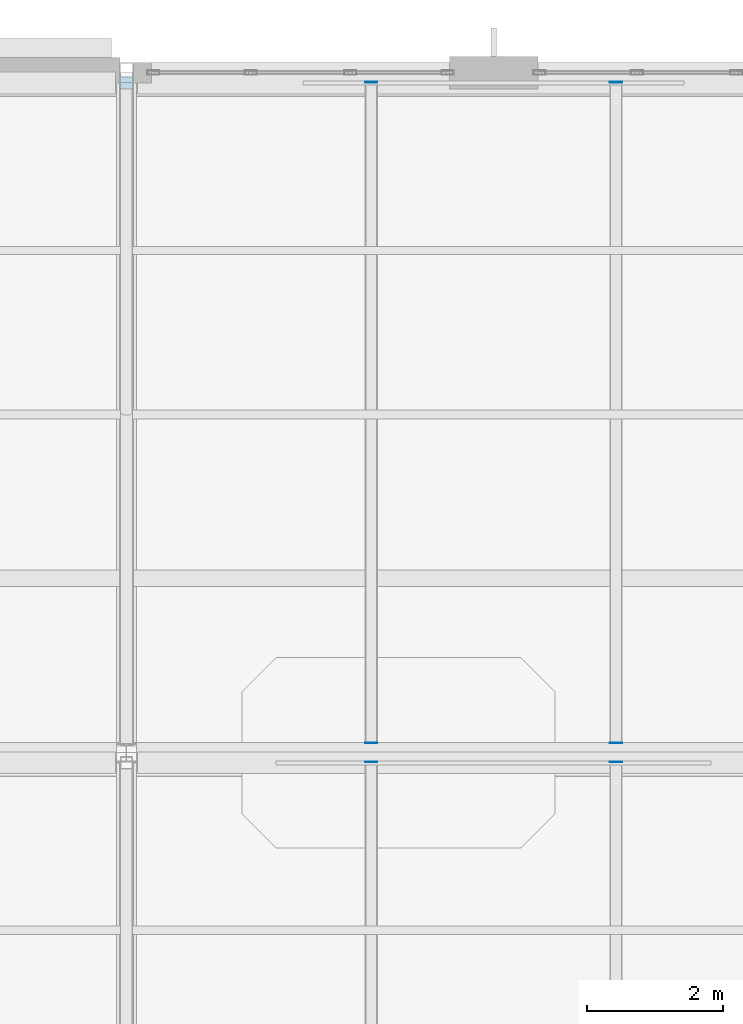
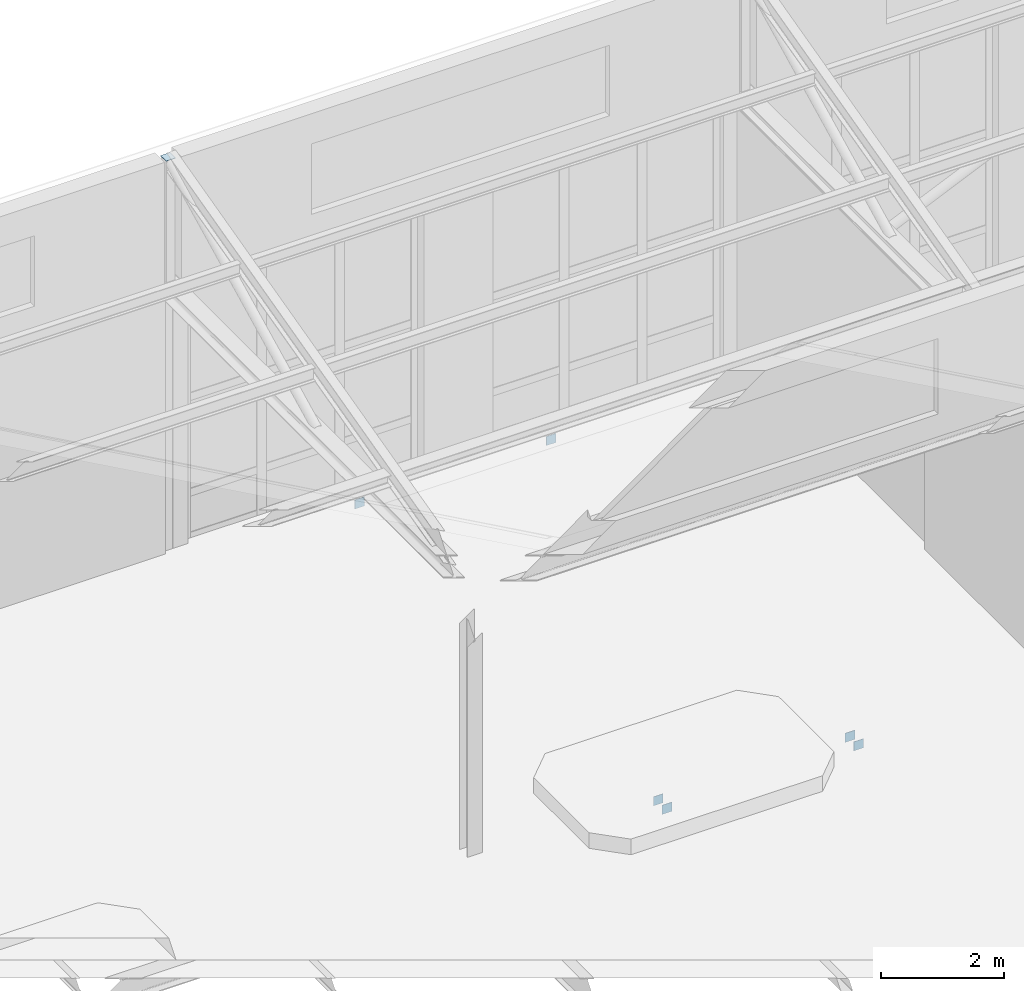
# One storey, part 37 of 49: 7 plates.
"""IFC4 building model written with IfcOpenShell, lengths in metres."""

from ifc_helpers import new_model, si_unit, direction, frame, origin, origin_2d, place, context, subcontext, project, spatial, rectangle, extrude, material, layer, layer_set, type_object, element, save


model = new_model("IFC4")

# Units and contexts
model_context = context("Model", 3, precision=1e-05, world=origin(), true_north=direction((0.0, 1.0)))
body_context = subcontext(model_context, "Body", "Model", "MODEL_VIEW")
ifc_project = project(units=[si_unit("LENGTHUNIT", "METRE"), si_unit("AREAUNIT", "SQUARE_METRE"), si_unit("VOLUMEUNIT", "CUBIC_METRE"), si_unit("PLANEANGLEUNIT", "RADIAN"), si_unit("MASSUNIT", "GRAM", prefix="KILO")], contexts=[model_context])

# Site, building, storey
site_placement = place(None, origin())
site = spatial("IfcSite", under=ifc_project, at=site_placement, CompositionType="ELEMENT")
building_placement = place(site_placement, origin())
building = spatial("IfcBuilding", under=site, at=building_placement, Name="Tasgan Crest Museum", CompositionType="ELEMENT")
storey_placement = place(building_placement, frame((0.0, 0.0, 28.800048828125)))
storey = spatial("IfcBuildingStorey", under=building, at=storey_placement, Name="L05", CompositionType="ELEMENT", Elevation=28.800048828125)

# Plates
ifc_material_1 = material(Name="Steel S355K2", Category="steel")
ifc_layer_1 = layer(ifc_material_1, 0.179931640625, Name="PL-CAP-10x180x180")
ifc_layer_set_1 = layer_set([ifc_layer_1], Name="Steel S355K2")
plate_type_1 = type_object("IfcPlateType", Name="PL-CAP-10x180x180", PredefinedType="USERDEFINED", material=ifc_layer_set_1)
for number, where, z_axis, x_axis, name in (
    (1, (57.60009765625, 102.139892578125, -0.419921875), (0.0, 0.0, 1.0), (0.0, 1.0, 0.0), "End plate Secondary joist L05 X=57.6 Y=102.0-112.0 end A"),
    (2, (57.60009765625, 111.860107421875, -0.419921875), (0.0, 0.0, 1.0), (0.0, 1.0, 0.0), "End plate Secondary joist L05 X=57.6 Y=102.0-112.0 end B"),
    (3, (61.199951171875, 102.139892578125, -0.419921875), (0.0, 0.0, 1.0), (0.0, 1.0, 0.0), "End plate Secondary joist L05 X=61.2 Y=102.0-112.0 end A"),
    (4, (61.199951171875, 111.860107421875, -0.419921875), (0.0, 0.0, 1.0), (0.0, 1.0, 0.0), "End plate Secondary joist L05 X=61.2 Y=102.0-112.0 end B"),
    (5, (57.60009765625, 101.860107421875, -0.419921875), (0.0, 0.0, 1.0), (0.0, 1.0, 0.0), "End plate Secondary joist L05 X=57.6 Y=92.0-102.0 end B"),
    (6, (61.199951171875, 101.860107421875, -0.419921875), (0.0, 0.0, 1.0), (0.0, 1.0, 0.0), "End plate Secondary joist L05 X=61.2 Y=92.0-102.0 end B"),
):
    element("IfcPlate", number, at=place(storey_placement, frame(where, z_axis=z_axis, x_axis=x_axis)), inside=storey, type_object=plate_type_1, Name=name, ObjectType="END PLATE", PredefinedType="USERDEFINED", context=body_context, shape_type="SweptSolid", body=[
        extrude(rectangle(XDim=0.010009765625, YDim=0.179931640625, at=origin_2d()), origin(), (0.0, 0.0, 1.0), 0.179931640625),
    ])
ifc_material_2 = material(Name="Steel S355K2", Category="steel")
ifc_layer_2 = layer(ifc_material_2, 0.179931640625, Name="PL-CAP-180x180x10")
ifc_layer_set_2 = layer_set([ifc_layer_2], Name="Steel S355K2")
plate_type_2 = type_object("IfcPlateType", Name="PL-CAP-180x180x10", PredefinedType="USERDEFINED", material=ifc_layer_set_2)
plate_placement = place(storey_placement, frame((54.0, 111.85009765625, 7.7998046875), z_axis=(0.0, 0.0, 1.0), x_axis=(1.0, 0.0, 0.0)))
element("IfcPlate", 7, at=plate_placement, inside=storey, type_object=plate_type_2, Name="End plate Roof truss north post B3 6 end B", ObjectType="END PLATE", PredefinedType="USERDEFINED", context=body_context, shape_type="SweptSolid", body=[
    extrude(rectangle(XDim=0.179931640625, YDim=0.179931640625, at=origin_2d()), origin(), (0.0, 0.0, 1.0), 0.010009765625),
])

save(model, "model.ifc")
